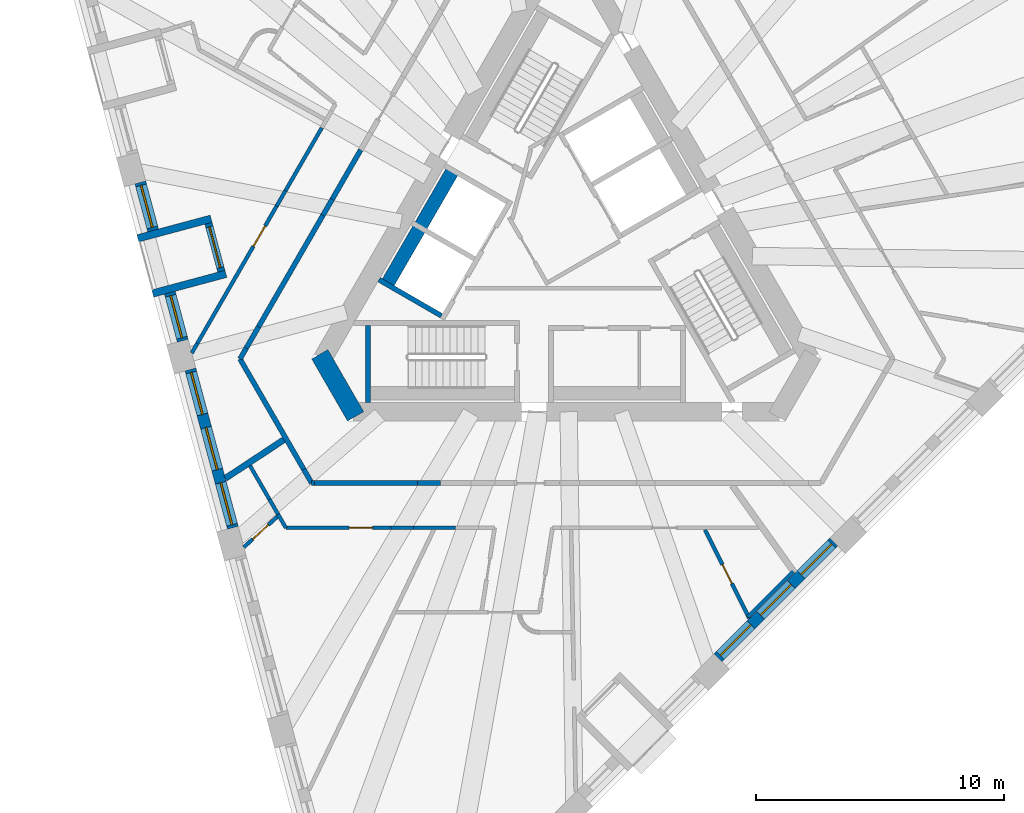
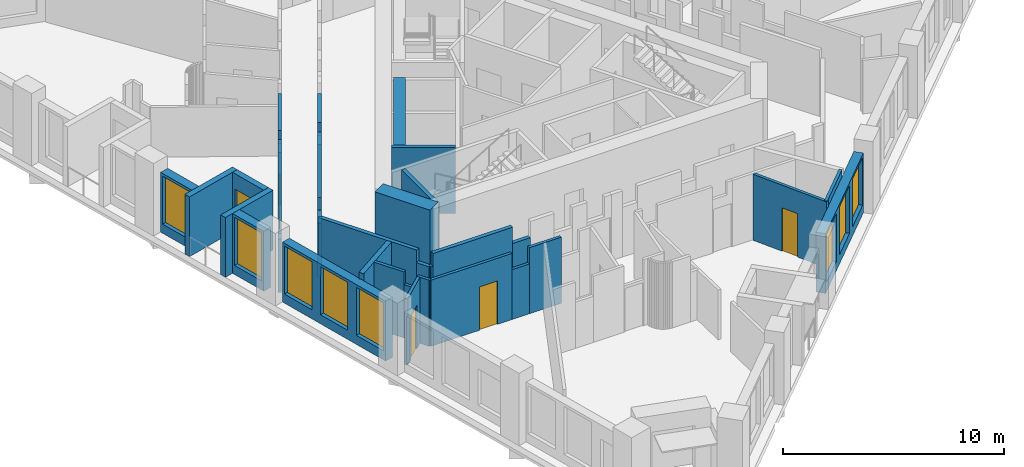
# One storey, part 3 of 13: 35 walls, 8 windows, 5 doors, 13 openings.
"""IFC4 building model written with IfcOpenShell, lengths in metres."""

import ifcopenshell
import ifcopenshell.guid

model = None  # the IFC model being written
_history = None  # IfcOwnerHistory: only IFC2X3 demands one
_inside = {}  # id of a spatial element -> (the spatial element, [elements in it])
_under = {}  # id of a project, library or spatial element -> (it, [spatial elements below it])
_declared = {}  # id of a project -> (the project, [libraries it declares])
_typed = {}  # id of a type object -> (the type object, [elements of that type])
_made_of = {}  # id of a material, layer set ... -> (it, [elements and type objects made of it])


def new_model(schema):
    """Start an empty IFC model of exactly this schema.

    Asked for "IFC4X3", IfcOpenShell would pick the latest addendum, in which some entities
    have other attributes; the version numbers below select the first issue.
    IFC2X3 requires an IfcOwnerHistory on every rooted entity: one is made here for all.
    """
    global model, _history
    if schema == "IFC4X3":
        model = ifcopenshell.file(schema_version=(4, 3, 0, 0))
    else:
        model = ifcopenshell.file(schema=schema)
    _inside.clear()
    _under.clear()
    _declared.clear()
    _typed.clear()
    _made_of.clear()
    _history = None
    if model.schema == "IFC2X3":
        org = make("IfcOrganization", Name="unknown")
        user = make(
            "IfcPersonAndOrganization",
            ThePerson=make("IfcPerson", FamilyName="unknown"),
            TheOrganization=org,
        )
        app = make(
            "IfcApplication",
            ApplicationDeveloper=org,
            Version="unknown",
            ApplicationFullName="unknown",
            ApplicationIdentifier="unknown",
        )
        _history = make(
            "IfcOwnerHistory",
            OwningUser=user,
            OwningApplication=app,
            ChangeAction="ADDED",
            CreationDate=0,
        )
    return model


def make(cls, **values):
    """One entity of the class cls with the attributes given. An attribute that is None is left unset."""
    return model.create_entity(
        cls, **{name: value for name, value in values.items() if value is not None}
    )


def rooted(cls, **values):
    """An entity with a GlobalId (a new one), such as an element, a storey or a relation."""
    return make(cls, GlobalId=ifcopenshell.guid.new(), OwnerHistory=_history, **values)


def si_unit(unit_type, name, prefix=None):
    """IfcSIUnit, for example si_unit("LENGTHUNIT", "METRE", prefix="MILLI")."""
    return make("IfcSIUnit", UnitType=unit_type, Prefix=prefix, Name=name)


def assignment(units):
    """IfcUnitAssignment: the units of a project."""
    return None if units is None else make("IfcUnitAssignment", Units=units)


def point(xyz):
    """IfcCartesianPoint."""
    return None if xyz is None else make("IfcCartesianPoint", Coordinates=xyz)


def direction(xyz):
    """IfcDirection."""
    return None if xyz is None else make("IfcDirection", DirectionRatios=xyz)


def frame(location, z_axis=None, x_axis=None):
    """IfcAxis2Placement3D, a coordinate frame: its origin and axes. An axis left out is left unset."""
    return make(
        "IfcAxis2Placement3D",
        Location=point(location),
        Axis=direction(z_axis),
        RefDirection=direction(x_axis),
    )


def frame_2d(location, x_axis=None):
    """IfcAxis2Placement2D, a coordinate frame in the plane: its origin and x axis."""
    return make(
        "IfcAxis2Placement2D", Location=point(location), RefDirection=direction(x_axis)
    )


def origin():
    """The frame at (0, 0, 0) with its axes left unset."""
    return frame((0.0, 0.0, 0.0))


def place(relative_to, where):
    """IfcLocalPlacement: puts the frame where relative to a parent placement (None: the world)."""
    return make(
        "IfcLocalPlacement", PlacementRelTo=relative_to, RelativePlacement=where
    )


def context(
    kind, dimensions, precision=None, world=None, true_north=None, identifier=None
):
    """IfcGeometricRepresentationContext, for example the 3D "Model" context."""
    return make(
        "IfcGeometricRepresentationContext",
        ContextIdentifier=identifier,
        ContextType=kind,
        CoordinateSpaceDimension=dimensions,
        Precision=precision,
        WorldCoordinateSystem=world,
        TrueNorth=true_north,
    )


def subcontext(parent, identifier, kind, view, scale=None):
    """IfcGeometricRepresentationSubContext, for example "Body" below "Model"."""
    return make(
        "IfcGeometricRepresentationSubContext",
        ContextIdentifier=identifier,
        ContextType=kind,
        ParentContext=parent,
        TargetScale=scale,
        TargetView=view,
    )


def project(units=None, contexts=None):
    """IfcProject with its units and contexts."""
    return rooted(
        "IfcProject",
        Name="project",
        RepresentationContexts=contexts,
        UnitsInContext=assignment(units),
    )


def spatial(cls, under=None, at=None, **own):
    """A site, building, storey or space (cls), placed at a placement, below another one or the project."""
    s = rooted(cls, ObjectPlacement=at, **own)
    if under is not None:
        _under.setdefault(under.id(), (under, []))[1].append(s)
    return s


def profile(cls, at=None, kind="AREA", **sizes):
    """A parametric profile (cls). Its sizes go by their IFC names, for example OverallWidth=200.0."""
    return make(cls, ProfileType=kind, Position=at, **sizes)


def rectangle(**sizes):
    """IfcRectangleProfileDef."""
    return profile("IfcRectangleProfileDef", **sizes)


def extrude(swept, where, along, depth):
    """IfcExtrudedAreaSolid: the profile swept, set in the frame where, extruded along a direction by depth."""
    return make(
        "IfcExtrudedAreaSolid",
        SweptArea=swept,
        Position=where,
        ExtrudedDirection=direction(along),
        Depth=depth,
    )


def shape(context_of_items, identifier, shape_type, items):
    """IfcShapeRepresentation: the items that make up one representation, for example the "Body"."""
    return make(
        "IfcShapeRepresentation",
        ContextOfItems=context_of_items,
        RepresentationIdentifier=identifier,
        RepresentationType=shape_type,
        Items=items,
    )


def material(Name=None, Category=None):
    """IfcMaterial."""
    return make("IfcMaterial", Name=Name, Category=Category)


def layer(
    of_material, thickness, ventilated=None, Name=None, Category=None, Priority=None
):
    """IfcMaterialLayer: one layer of a wall or slab, of a material (None: an air gap)."""
    return make(
        "IfcMaterialLayer",
        Material=of_material,
        LayerThickness=thickness,
        IsVentilated=ventilated,
        Name=Name,
        Category=Category,
        Priority=Priority,
    )


def layer_set(layers, Name=None):
    """IfcMaterialLayerSet."""
    return make("IfcMaterialLayerSet", MaterialLayers=layers, LayerSetName=Name)


def made_of(thing, what):
    """Note that an element or type object is made of a material, layer set ...; save() writes the relation."""
    if what is not None:
        _made_of.setdefault(what.id(), (what, []))[1].append(thing)
    return thing


def type_object(cls, material=None, **own):
    """A type object (cls), such as IfcWallType, which elements share."""
    return made_of(rooted(cls, **own), material)


def element(
    cls,
    number,
    at=None,
    inside=None,
    cuts=None,
    type_object=None,
    material=None,
    context=None,
    identifier="Body",
    shape_type=None,
    held_by="IfcProductDefinitionShape",
    body=None,
    shapes=None,
    **own,
):
    """One element of the class cls, such as IfcWall. Its Tag is "e" and its number.

    at: its placement. inside: the storey or other place that contains it. cuts: it is an
    opening in that element (IfcRelVoidsElement). A single representation is given by context,
    identifier, shape_type and body (its items); several are given by shapes. held_by: the class
    of the entity that holds the representations. save() writes the other relations.
    """
    e = rooted(cls, Tag="e%d" % number, ObjectPlacement=at, **own)
    if body is not None:
        shapes = [shape(context, identifier, shape_type, body)]
    if shapes is not None:
        e.Representation = make(held_by, Representations=shapes)
    if inside is not None:
        _inside.setdefault(inside.id(), (inside, []))[1].append(e)
    if cuts is not None:
        rooted(
            "IfcRelVoidsElement", RelatingBuildingElement=cuts, RelatedOpeningElement=e
        )
    if type_object is not None:
        _typed.setdefault(type_object.id(), (type_object, []))[1].append(e)
    return made_of(e, material)


def fill(opening, filler):
    """IfcRelFillsElement: the door or window that sits in an opening."""
    return rooted(
        "IfcRelFillsElement",
        RelatingOpeningElement=opening,
        RelatedBuildingElement=filler,
    )


def aggregate(whole, parts):
    """IfcRelAggregates: a whole, such as a stair, and the parts it consists of."""
    return rooted("IfcRelAggregates", RelatingObject=whole, RelatedObjects=parts)


def save(model, path):
    """Write the relations noted so far, then the file.

    IfcRelAggregates (storeys below a building ...), IfcRelContainedInSpatialStructure (elements
    in a storey), IfcRelDefinesByType, IfcRelAssociatesMaterial and IfcRelDeclares: one each for
    every whole, place, type object, material and project.
    """
    for whole, parts in _under.values():
        aggregate(whole, parts)
    for where, things in _inside.values():
        rooted(
            "IfcRelContainedInSpatialStructure",
            RelatedElements=things,
            RelatingStructure=where,
        )
    for kind, things in _typed.values():
        rooted("IfcRelDefinesByType", RelatedObjects=things, RelatingType=kind)
    for what, things in _made_of.values():
        rooted("IfcRelAssociatesMaterial", RelatedObjects=things, RelatingMaterial=what)
    for by, libraries in _declared.values():
        rooted("IfcRelDeclares", RelatingContext=by, RelatedDefinitions=libraries)
    model.write(path)


model = new_model("IFC4")

# Units and contexts
model_context = context("Model", 3, precision=1e-05, world=origin(), true_north=direction((0.0, 1.0)))
body_context = subcontext(model_context, "Body", "Model", "MODEL_VIEW")
ifc_project = project(units=[si_unit("LENGTHUNIT", "METRE"), si_unit("AREAUNIT", "SQUARE_METRE"), si_unit("VOLUMEUNIT", "CUBIC_METRE"), si_unit("PLANEANGLEUNIT", "RADIAN"), si_unit("MASSUNIT", "GRAM", prefix="KILO")], contexts=[model_context])

# Site, building, storey
site_placement = place(None, origin())
site = spatial("IfcSite", under=ifc_project, at=site_placement, CompositionType="ELEMENT")
building_placement = place(site_placement, origin())
building = spatial("IfcBuilding", under=site, at=building_placement, Name="Tramontana Tower", CompositionType="ELEMENT")
storey_placement = place(building_placement, frame((0.0, 0.0, 216.0)))
storey = spatial("IfcBuildingStorey", under=building, at=storey_placement, Name="L50", CompositionType="ELEMENT", Elevation=216.0)

# Walls
ifc_material_1 = material(Name="Concrete 70 MPa", Category="concrete")
ifc_layer_1 = layer(ifc_material_1, 0.75)
ifc_layer_set_1 = layer_set([ifc_layer_1], Name="Core wall 750 70 MPa")
wall_type_1 = type_object("IfcWallType", Name="Core wall 750 70 MPa", PredefinedType="SHEAR", material=ifc_layer_set_1)
wall_1_placement = place(storey_placement, frame((-9.923095703125, -4.0625, 0.0), z_axis=(0.0, 0.0, 1.0), x_axis=(0.499995765644, -0.866027848477, 0.0)))
element("IfcWall", 1, at=wall_1_placement, inside=storey, type_object=wall_type_1, Name="Core wall C2 L50", PredefinedType="SHEAR", context=body_context, shape_type="SweptSolid", body=[
    extrude(rectangle(XDim=2.88671875, YDim=0.75, at=frame_2d((1.443359375, 0.0))), origin(), (0.0, 0.0, 1.0), 4.0),
])
ifc_material_2 = material(Name="Blockwork", Category="masonry")
ifc_layer_2 = layer(ifc_material_2, 0.199951171875)
ifc_layer_set_2 = layer_set([ifc_layer_2], Name="ENTRY WALL 200")
wall_type_2 = type_object("IfcWallType", Name="ENTRY WALL 200", PredefinedType="SOLIDWALL", material=ifc_layer_set_2)
wall_2_placement = place(storey_placement, frame((-5.05615234375, -9.25, 0.0), z_axis=(0.0, 0.0, 1.0), x_axis=(-1.0, 0.0, 0.0)))
element("IfcWall", 2, at=wall_2_placement, inside=storey, type_object=wall_type_2, Name="Wall v51-ew2-11", PredefinedType="SOLIDWALL", context=body_context, shape_type="SweptSolid", body=[
    extrude(rectangle(XDim=0.931640625, YDim=0.199951171875, at=frame_2d((0.4658203125, 0.0))), origin(), (0.0, 0.0, 1.0), 2.75),
])
wall_3_placement = place(storey_placement, frame((-5.98779296875, -9.25, 0.0), z_axis=(0.0, 0.0, 1.0), x_axis=(-1.0, 0.0, 0.0)))
element("IfcWall", 3, at=wall_3_placement, inside=storey, type_object=wall_type_2, Name="Wall v51-ew2-12", PredefinedType="SOLIDWALL", context=body_context, shape_type="SweptSolid", body=[
    extrude(rectangle(XDim=4.1552734375, YDim=0.199951171875, at=frame_2d((2.07763671875, 0.0))), origin(), (0.0, 0.0, 1.0), 3.64990234375),
])
wall_4_placement = place(storey_placement, frame((-10.14306640625, -9.25, 0.0), z_axis=(0.0, 0.0, 1.0), x_axis=(-1.0, 0.0, 0.0)))
element("IfcWall", 4, at=wall_4_placement, inside=storey, type_object=wall_type_2, Name="Wall v51-ew2-13", PredefinedType="SOLIDWALL", context=body_context, shape_type="SweptSolid", body=[
    extrude(rectangle(XDim=0.10498046875, YDim=0.199951171875, at=frame_2d((0.052490234375, 0.0))), origin(), (0.0, 0.0, 1.0), 2.949951171875),
])
wall_5_placement = place(storey_placement, frame((-10.248046875, -9.25, 0.0), z_axis=(0.0, 0.0, 1.0), x_axis=(-0.499733411443, 0.86617926406, 0.0)))
element("IfcWall", 5, at=wall_5_placement, inside=storey, type_object=wall_type_2, Name="Wall v51-ew3-0", PredefinedType="SOLIDWALL", context=body_context, shape_type="SweptSolid", body=[
    extrude(rectangle(XDim=0.642822265625, YDim=0.199951171875, at=frame_2d((0.3212890625, 0.0))), origin(), (0.0, 0.0, 1.0), 2.949951171875),
])
wall_6_placement = place(storey_placement, frame((-10.5693359375, -8.693115234375, 0.0), z_axis=(0.0, 0.0, 1.0), x_axis=(-0.500028638513, 0.8660088687, 0.0)))
element("IfcWall", 6, at=wall_6_placement, inside=storey, type_object=wall_type_2, Name="Wall v51-ew3-1", PredefinedType="SOLIDWALL", context=body_context, shape_type="SweptSolid", body=[
    extrude(rectangle(XDim=5.130615234375, YDim=0.199951171875, at=frame_2d((2.5654296875, 0.0))), origin(), (0.0, 0.0, 1.0), 3.64990234375),
])
wall_7_placement = place(storey_placement, frame((-13.134765625, -4.25, 0.0), z_axis=(0.0, 0.0, 1.0), x_axis=(0.500002592159, 0.866023907196, 0.0)))
element("IfcWall", 7, at=wall_7_placement, inside=storey, type_object=wall_type_2, Name="Wall v51-ew4-0", PredefinedType="SOLIDWALL", context=body_context, shape_type="SweptSolid", body=[
    extrude(rectangle(XDim=0.5029296875, YDim=0.199951171875, at=frame_2d((0.25146484375, 0.0))), origin(), (0.0, 0.0, 1.0), 3.64990234375),
])
wall_8_placement = place(storey_placement, frame((-12.88330078125, -3.814453125, 0.0), z_axis=(0.0, 0.0, 1.0), x_axis=(0.500063959222, 0.865988473761, 0.0)))
element("IfcWall", 8, at=wall_8_placement, inside=storey, type_object=wall_type_2, Name="Wall v51-ew4-1", PredefinedType="SOLIDWALL", context=body_context, shape_type="SweptSolid", body=[
    extrude(rectangle(XDim=0.989990234375, YDim=0.199951171875, at=frame_2d((0.4951171875, 0.0))), origin(), (0.0, 0.0, 1.0), 2.949951171875),
])
wall_9_placement = place(storey_placement, frame((-12.38818359375, -2.95703125, 0.0), z_axis=(0.0, 0.0, 1.0), x_axis=(0.499990271856, 0.866031020258, 0.0)))
element("IfcWall", 9, at=wall_9_placement, inside=storey, type_object=wall_type_2, Name="Wall v51-ew4-2", PredefinedType="SOLIDWALL", context=body_context, shape_type="SweptSolid", body=[
    extrude(rectangle(XDim=5.181640625, YDim=0.199951171875, at=frame_2d((2.5908203125, 0.0))), origin(), (0.0, 0.0, 1.0), 3.64990234375),
])
wall_10_placement = place(storey_placement, frame((-9.79736328125, 1.530517578125, 0.0), z_axis=(0.0, 0.0, 1.0), x_axis=(0.499931655587, 0.866064858854, 0.0)))
element("IfcWall", 10, at=wall_10_placement, inside=storey, type_object=wall_type_2, Name="Wall v51-ew4-3", PredefinedType="SOLIDWALL", context=body_context, shape_type="SweptSolid", body=[
    extrude(rectangle(XDim=0.74072265625, YDim=0.199951171875, at=frame_2d((0.370361328125, 0.0))), origin(), (0.0, 0.0, 1.0), 2.949951171875),
])
wall_11_placement = place(storey_placement, frame((-9.427001953125, 2.172119140625, 0.0), z_axis=(0.0, 0.0, 1.0), x_axis=(0.500013761451, 0.866017458461, 0.0)))
element("IfcWall", 11, at=wall_11_placement, inside=storey, type_object=wall_type_2, Name="Wall v51-ew4-4", PredefinedType="SOLIDWALL", context=body_context, shape_type="SweptSolid", body=[
    extrude(rectangle(XDim=2.29736328125, YDim=0.199951171875, at=frame_2d((1.148681640625, 0.0))), origin(), (0.0, 0.0, 1.0), 3.64990234375),
])

# Wall, opening, window
ifc_material_3 = material(Name="Precast concrete 60 MPa", Category="concrete")
ifc_layer_3 = layer(ifc_material_3, 0.449951171875)
ifc_layer_set_3 = layer_set([ifc_layer_3], Name="Precast concrete 60 MPa, 450 mm")
wall_type_3 = type_object("IfcWallType", Name="EW1 Stone-faced precast wall 450", PredefinedType="SOLIDWALL", material=ifc_layer_set_3)
wall_12_placement = place(storey_placement, frame((-17.147705078125, 2.853271484375, 0.0), z_axis=(0.0, 0.0, 1.0), x_axis=(0.258803270362, -0.96593005298, 0.0)))
wall_12 = element("IfcWall", 12, at=wall_12_placement, inside=storey, type_object=wall_type_3, Name="External wall L50 face 0 bay 3", PredefinedType="SOLIDWALL", context=body_context, shape_type="SweptSolid", body=[
    extrude(rectangle(XDim=1.998046875, YDim=0.449951171875, at=frame_2d((0.9990234375, 0.0))), origin(), (0.0, 0.0, 1.0), 3.300048828125),
])
opening_1_placement = place(wall_12_placement, frame((0.1240234375, 0.0, 0.5)))
opening_1 = element("IfcOpeningElement", 13, at=opening_1_placement, cuts=wall_12, Name="Opening M2", PredefinedType="OPENING", context=body_context, shape_type="SweptSolid", body=[
    extrude(rectangle(XDim=1.75, YDim=2.64990234375, at=frame_2d((0.875, 1.324951171875))), frame((0.0, 0.23486328125, 0.0), z_axis=(0.0, -1.0, 0.0), x_axis=(1.0, 0.0, 0.0)), (0.0, 0.0, 1.0), 0.469970703125),
])
ifc_material_4 = material(Name="Aluminum frame, double glazing unit", Category="aluminium")
window_type = type_object("IfcWindowType", Name="M2 Window 1.75 x 2.65", PartitioningType="SINGLE_PANEL", PredefinedType="WINDOW", material=ifc_material_4)
window_1_placement = place(opening_1_placement, origin())
window_1 = element("IfcWindow", 14, at=window_1_placement, inside=storey, type_object=window_type, Name="Window M2 L50 face 0 module 7", OverallHeight=2.64990234375, OverallWidth=1.75, PartitioningType="SINGLE_PANEL", PredefinedType="WINDOW", context=body_context, shape_type="SweptSolid", body=[
    extrude(rectangle(XDim=1.75, YDim=2.64990234375, at=frame_2d((0.875, 1.324951171875))), frame((0.0, 0.030029296875, 0.0), z_axis=(0.0, -1.0, 0.0), x_axis=(1.0, 0.0, 0.0)), (0.0, 0.0, 1.0), 0.06005859375),
])
fill(opening_1, window_1)

wall_13_placement = place(storey_placement, frame((-15.958251953125, -1.586181640625, 0.0), z_axis=(0.0, 0.0, 1.0), x_axis=(0.258772727493, -0.965938235865, 0.0)))
wall_13 = element("IfcWall", 15, at=wall_13_placement, inside=storey, type_object=wall_type_3, Name="External wall L50 face 0 bay 3", PredefinedType="SOLIDWALL", context=body_context, shape_type="SweptSolid", body=[
    extrude(rectangle(XDim=1.998291015625, YDim=0.449951171875, at=frame_2d((0.9990234375, 0.0))), origin(), (0.0, 0.0, 1.0), 3.300048828125),
])
opening_2_placement = place(wall_13_placement, frame((0.1240234375, 0.0, 0.5)))
opening_2 = element("IfcOpeningElement", 16, at=opening_2_placement, cuts=wall_13, Name="Opening M2", PredefinedType="OPENING", context=body_context, shape_type="SweptSolid", body=[
    extrude(rectangle(XDim=1.75, YDim=2.64990234375, at=frame_2d((0.875, 1.324951171875))), frame((0.0, 0.23486328125, 0.0), z_axis=(0.0, -1.0, 0.0), x_axis=(1.0, 0.0, 0.0)), (0.0, 0.0, 1.0), 0.469970703125),
])
window_2_placement = place(opening_2_placement, origin())
window_2 = element("IfcWindow", 17, at=window_2_placement, inside=storey, type_object=window_type, Name="Window M2 L50 face 0 module 9", OverallHeight=2.64990234375, OverallWidth=1.75, PartitioningType="SINGLE_PANEL", PredefinedType="WINDOW", context=body_context, shape_type="SweptSolid", body=[
    extrude(rectangle(XDim=1.75, YDim=2.64990234375, at=frame_2d((0.875, 1.324951171875))), frame((0.0, 0.030029296875, 0.0), z_axis=(0.0, -1.0, 0.0), x_axis=(1.0, 0.0, 0.0)), (0.0, 0.0, 1.0), 0.06005859375),
])
fill(opening_2, window_2)

# Wall, openings, windows
wall_14_placement = place(storey_placement, frame((-15.13037109375, -4.67529296875, 0.0), z_axis=(0.0, 0.0, 1.0), x_axis=(0.258791602952, -0.965933178973, 0.0)))
wall_14 = element("IfcWall", 18, at=wall_14_placement, inside=storey, type_object=wall_type_3, Name="External wall L50 face 0 bay 4", PredefinedType="SOLIDWALL", context=body_context, shape_type="SweptSolid", body=[
    extrude(rectangle(XDim=6.59423828125, YDim=0.449951171875, at=frame_2d((3.297119140625, 0.0))), origin(), (0.0, 0.0, 1.0), 3.300048828125),
])
opening_3_placement = place(wall_14_placement, frame((0.1240234375, 0.0, 0.5)))
opening_3 = element("IfcOpeningElement", 19, at=opening_3_placement, cuts=wall_14, Name="Opening M2", PredefinedType="OPENING", context=body_context, shape_type="SweptSolid", body=[
    extrude(rectangle(XDim=1.75, YDim=2.64990234375, at=frame_2d((0.875, 1.324951171875))), frame((0.0, 0.23486328125, 0.0), z_axis=(0.0, -1.0, 0.0), x_axis=(1.0, 0.0, 0.0)), (0.0, 0.0, 1.0), 0.469970703125),
])
opening_4_placement = place(wall_14_placement, frame((2.422119140625, 0.0, 0.5)))
opening_4 = element("IfcOpeningElement", 20, at=opening_4_placement, cuts=wall_14, Name="Opening M2", PredefinedType="OPENING", context=body_context, shape_type="SweptSolid", body=[
    extrude(rectangle(XDim=1.75, YDim=2.64990234375, at=frame_2d((0.875, 1.324951171875))), frame((0.0, 0.23486328125, 0.0), z_axis=(0.0, -1.0, 0.0), x_axis=(1.0, 0.0, 0.0)), (0.0, 0.0, 1.0), 0.469970703125),
])
opening_5_placement = place(wall_14_placement, frame((4.72021484375, 0.0, 0.5)))
opening_5 = element("IfcOpeningElement", 21, at=opening_5_placement, cuts=wall_14, Name="Opening M2", PredefinedType="OPENING", context=body_context, shape_type="SweptSolid", body=[
    extrude(rectangle(XDim=1.75, YDim=2.64990234375, at=frame_2d((0.875, 1.324951171875))), frame((0.0, 0.23486328125, 0.0), z_axis=(0.0, -1.0, 0.0), x_axis=(1.0, 0.0, 0.0)), (0.0, 0.0, 1.0), 0.469970703125),
])
window_3_placement = place(opening_3_placement, origin())
window_3 = element("IfcWindow", 22, at=window_3_placement, inside=storey, type_object=window_type, Name="Window M2 L50 face 0 module 10", OverallHeight=2.64990234375, OverallWidth=1.75, PartitioningType="SINGLE_PANEL", PredefinedType="WINDOW", context=body_context, shape_type="SweptSolid", body=[
    extrude(rectangle(XDim=1.75, YDim=2.64990234375, at=frame_2d((0.875, 1.324951171875))), frame((0.0, 0.030029296875, 0.0), z_axis=(0.0, -1.0, 0.0), x_axis=(1.0, 0.0, 0.0)), (0.0, 0.0, 1.0), 0.06005859375),
])
fill(opening_3, window_3)
window_4_placement = place(opening_4_placement, origin())
window_4 = element("IfcWindow", 23, at=window_4_placement, inside=storey, type_object=window_type, Name="Window M2 L50 face 0 module 11", OverallHeight=2.64990234375, OverallWidth=1.75, PartitioningType="SINGLE_PANEL", PredefinedType="WINDOW", context=body_context, shape_type="SweptSolid", body=[
    extrude(rectangle(XDim=1.75, YDim=2.64990234375, at=frame_2d((0.875, 1.324951171875))), frame((0.0, 0.030029296875, 0.0), z_axis=(0.0, -1.0, 0.0), x_axis=(1.0, 0.0, 0.0)), (0.0, 0.0, 1.0), 0.06005859375),
])
fill(opening_4, window_4)
window_5_placement = place(opening_5_placement, origin())
window_5 = element("IfcWindow", 24, at=window_5_placement, inside=storey, type_object=window_type, Name="Window M2 L50 face 0 module 12", OverallHeight=2.64990234375, OverallWidth=1.75, PartitioningType="SINGLE_PANEL", PredefinedType="WINDOW", context=body_context, shape_type="SweptSolid", body=[
    extrude(rectangle(XDim=1.75, YDim=2.64990234375, at=frame_2d((0.875, 1.324951171875))), frame((0.0, 0.030029296875, 0.0), z_axis=(0.0, -1.0, 0.0), x_axis=(1.0, 0.0, 0.0)), (0.0, 0.0, 1.0), 0.06005859375),
])
fill(opening_5, window_5)

wall_15_placement = place(storey_placement, frame((6.102783203125, -16.277099609375, 0.0), z_axis=(0.0, 0.0, 1.0), x_axis=(0.707106781187, 0.707106781187, 0.0)))
wall_15 = element("IfcWall", 25, at=wall_15_placement, inside=storey, type_object=wall_type_3, Name="External wall L50 face 1 bay 3", PredefinedType="SOLIDWALL", context=body_context, shape_type="SweptSolid", body=[
    extrude(rectangle(XDim=6.59423828125, YDim=0.449951171875, at=frame_2d((3.297119140625, 0.0))), origin(), (0.0, 0.0, 1.0), 3.300048828125),
])
opening_6_placement = place(wall_15_placement, frame((0.1240234375, 0.0, 0.5)))
opening_6 = element("IfcOpeningElement", 26, at=opening_6_placement, cuts=wall_15, Name="Opening M2", PredefinedType="OPENING", context=body_context, shape_type="SweptSolid", body=[
    extrude(rectangle(XDim=1.75, YDim=2.64990234375, at=frame_2d((0.875, 1.324951171875))), frame((0.0, 0.23486328125, 0.0), z_axis=(0.0, -1.0, 0.0), x_axis=(1.0, 0.0, 0.0)), (0.0, 0.0, 1.0), 0.469970703125),
])
opening_7_placement = place(wall_15_placement, frame((2.422119140625, 0.0, 0.5)))
opening_7 = element("IfcOpeningElement", 27, at=opening_7_placement, cuts=wall_15, Name="Opening M2", PredefinedType="OPENING", context=body_context, shape_type="SweptSolid", body=[
    extrude(rectangle(XDim=1.75, YDim=2.64990234375, at=frame_2d((0.875, 1.324951171875))), frame((0.0, 0.23486328125, 0.0), z_axis=(0.0, -1.0, 0.0), x_axis=(1.0, 0.0, 0.0)), (0.0, 0.0, 1.0), 0.469970703125),
])
opening_8_placement = place(wall_15_placement, frame((4.72021484375, 0.0, 0.5)))
opening_8 = element("IfcOpeningElement", 28, at=opening_8_placement, cuts=wall_15, Name="Opening M2", PredefinedType="OPENING", context=body_context, shape_type="SweptSolid", body=[
    extrude(rectangle(XDim=1.75, YDim=2.64990234375, at=frame_2d((0.875, 1.324951171875))), frame((0.0, 0.23486328125, 0.0), z_axis=(0.0, -1.0, 0.0), x_axis=(1.0, 0.0, 0.0)), (0.0, 0.0, 1.0), 0.469970703125),
])
window_6_placement = place(opening_6_placement, origin())
window_6 = element("IfcWindow", 29, at=window_6_placement, inside=storey, type_object=window_type, Name="Window M2 L50 face 1 module 7", OverallHeight=2.64990234375, OverallWidth=1.75, PartitioningType="SINGLE_PANEL", PredefinedType="WINDOW", context=body_context, shape_type="SweptSolid", body=[
    extrude(rectangle(XDim=1.75, YDim=2.64990234375, at=frame_2d((0.875, 1.324951171875))), frame((0.0, 0.030029296875, 0.0), z_axis=(0.0, -1.0, 0.0), x_axis=(1.0, 0.0, 0.0)), (0.0, 0.0, 1.0), 0.06005859375),
])
fill(opening_6, window_6)
window_7_placement = place(opening_7_placement, origin())
window_7 = element("IfcWindow", 30, at=window_7_placement, inside=storey, type_object=window_type, Name="Window M2 L50 face 1 module 8", OverallHeight=2.64990234375, OverallWidth=1.75, PartitioningType="SINGLE_PANEL", PredefinedType="WINDOW", context=body_context, shape_type="SweptSolid", body=[
    extrude(rectangle(XDim=1.75, YDim=2.64990234375, at=frame_2d((0.875, 1.324951171875))), frame((0.0, 0.030029296875, 0.0), z_axis=(0.0, -1.0, 0.0), x_axis=(1.0, 0.0, 0.0)), (0.0, 0.0, 1.0), 0.06005859375),
])
fill(opening_7, window_7)
window_8_placement = place(opening_8_placement, origin())
window_8 = element("IfcWindow", 31, at=window_8_placement, inside=storey, type_object=window_type, Name="Window M2 L50 face 1 module 9", OverallHeight=2.64990234375, OverallWidth=1.75, PartitioningType="SINGLE_PANEL", PredefinedType="WINDOW", context=body_context, shape_type="SweptSolid", body=[
    extrude(rectangle(XDim=1.75, YDim=2.64990234375, at=frame_2d((0.875, 1.324951171875))), frame((0.0, 0.030029296875, 0.0), z_axis=(0.0, -1.0, 0.0), x_axis=(1.0, 0.0, 0.0)), (0.0, 0.0, 1.0), 0.06005859375),
])
fill(opening_8, window_8)

# Wall, opening, door
ifc_material_5 = material(Name="Precast concrete 60 MPa", Category="concrete")
ifc_layer_4 = layer(ifc_material_5, 0.300048828125)
ifc_layer_set_4 = layer_set([ifc_layer_4], Name="LW1 Stone-faced loggia wall 300")
wall_type_4 = type_object("IfcWallType", Name="LW1 Stone-faced loggia wall 300", PredefinedType="SOLIDWALL", material=ifc_layer_set_4)
wall_16_placement = place(storey_placement, frame((-14.40380859375, 1.20947265625, 0.0), z_axis=(0.0, 0.0, 1.0), x_axis=(0.258772727493, -0.965938235865, 0.0)))
wall_16 = element("IfcWall", 32, at=wall_16_placement, inside=storey, type_object=wall_type_4, Name="Loggia wall L50 G5S0.7", PredefinedType="SOLIDWALL", context=body_context, shape_type="SweptSolid", body=[
    extrude(rectangle(XDim=1.998291015625, YDim=0.300048828125, at=frame_2d((0.9990234375, 0.0))), origin(), (0.0, 0.0, 1.0), 3.300048828125),
])
opening_9_placement = place(wall_16_placement, frame((0.14892578125, 0.0, 0.0)))
opening_9 = element("IfcOpeningElement", 33, at=opening_9_placement, cuts=wall_16, Name="Opening BD-5S0-07", PredefinedType="OPENING", context=body_context, shape_type="SweptSolid", body=[
    extrude(rectangle(XDim=1.699951171875, YDim=2.449951171875, at=frame_2d((0.85009765625, 1.22509765625))), frame((0.0, 0.159912109375, 0.0), z_axis=(0.0, -1.0, 0.0), x_axis=(1.0, 0.0, 0.0)), (0.0, 0.0, 1.0), 0.320068359375),
])
ifc_material_6 = material(Name="Aluminum frame, double glazing unit", Category="aluminium")
door_type_1 = type_object("IfcDoorType", Name="BD2 Sliding door 1.7 x 2.45", OperationType="SLIDING_TO_LEFT", PredefinedType="DOOR", material=ifc_material_6)
door_1_placement = place(opening_9_placement, origin())
door_1 = element("IfcDoor", 34, at=door_1_placement, inside=storey, type_object=door_type_1, Name="Loggia door L50 G5S0.7", OperationType="SLIDING_TO_LEFT", OverallHeight=2.449951171875, OverallWidth=1.699951171875, PredefinedType="DOOR", context=body_context, shape_type="SweptSolid", body=[
    extrude(rectangle(XDim=1.699951171875, YDim=2.449951171875, at=frame_2d((0.85009765625, 1.22509765625))), frame((0.0, 0.02490234375, 0.0), z_axis=(0.0, -1.0, 0.0), x_axis=(1.0, 0.0, 0.0)), (0.0, 0.0, 1.0), 0.050048828125),
])
fill(opening_9, door_1)

# Walls
for number, where, z_axis, x_axis, name in (
    (35, (-17.243896484375, 0.603759765625, 0.0), (0.0, 0.0, 1.0), (0.965932688119, 0.258793435045, 0.0), "Loggia return L50 G5S0.7a"),
    (36, (-16.64892578125, -1.615966796875, 0.0), (0.0, 0.0, 1.0), (0.965932688119, 0.258793435045, 0.0), "Loggia return L50 G5S0.7b"),
):
    element("IfcWall", number, at=place(storey_placement, frame(where, z_axis=z_axis, x_axis=x_axis)), inside=storey, type_object=wall_type_4, Name=name, PredefinedType="SOLIDWALL", context=body_context, shape_type="SweptSolid", body=[
        extrude(rectangle(XDim=3.050048828125, YDim=0.300048828125, at=frame_2d((1.52490234375, 0.0))), origin(), (0.0, 0.0, 1.0), 3.300048828125),
    ])
ifc_material_7 = material(Name="Gypsum board partition")
ifc_layer_5 = layer(ifc_material_7, 0.14990234375)
ifc_layer_set_5 = layer_set([ifc_layer_5], Name="PARTITION 150")
wall_type_5 = type_object("IfcWallType", Name="PARTITION 150", PredefinedType="PARTITIONING", material=ifc_layer_set_5)
wall_17_placement = place(storey_placement, frame((-15.075439453125, -4.011474609375, 0.0), z_axis=(0.0, 0.0, 1.0), x_axis=(0.500027377864, 0.86600959659, 0.0)))
element("IfcWall", 37, at=wall_17_placement, inside=storey, type_object=wall_type_5, Name="Wall v51-pw01-0", PredefinedType="PARTITIONING", context=body_context, shape_type="SweptSolid", body=[
    extrude(rectangle(XDim=0.43896484375, YDim=0.14990234375, at=frame_2d((0.219482421875, 0.0))), origin(), (0.0, 0.0, 1.0), 2.949951171875),
])

# Wall, opening, door
wall_18_placement = place(storey_placement, frame((-14.85595703125, -3.63134765625, 0.0), z_axis=(0.0, 0.0, 1.0), x_axis=(0.49999366119, 0.866029063467, 0.0)))
wall_18 = element("IfcWall", 38, at=wall_18_placement, inside=storey, type_object=wall_type_5, Name="Wall v51-pw01-1", PredefinedType="PARTITIONING", context=body_context, shape_type="SweptSolid", body=[
    extrude(rectangle(XDim=6.3896484375, YDim=0.14990234375, at=frame_2d((3.19482421875, 0.0))), origin(), (0.0, 0.0, 1.0), 3.64990234375),
])
opening_10_placement = place(wall_18_placement, frame((4.517333984375, 0.0, 0.0)))
opening_10 = element("IfcOpeningElement", 39, at=opening_10_placement, cuts=wall_18, Name="Opening B5B-05", PredefinedType="OPENING", context=body_context, shape_type="SweptSolid", body=[
    extrude(rectangle(XDim=0.949951171875, YDim=2.39990234375, at=frame_2d((0.47509765625, 1.199951171875))), frame((0.0, 0.0849609375, 0.0), z_axis=(0.0, -1.0, 0.0), x_axis=(1.0, 0.0, 0.0)), (0.0, 0.0, 1.0), 0.169921875),
])
ifc_material_8 = material(Name="Painted timber", Category="wood")
door_type_2 = type_object("IfcDoorType", Name="DOOR ROOM 950", OperationType="SINGLE_SWING_LEFT", PredefinedType="DOOR", material=ifc_material_8)
door_2_placement = place(opening_10_placement, origin())
door_2 = element("IfcDoor", 40, at=door_2_placement, inside=storey, type_object=door_type_2, Name="Door B5B-05", OperationType="SINGLE_SWING_LEFT", OverallHeight=2.39990234375, OverallWidth=0.949951171875, PredefinedType="DOOR", context=body_context, shape_type="SweptSolid", body=[
    extrude(rectangle(XDim=0.949951171875, YDim=2.39990234375, at=frame_2d((0.47509765625, 1.199951171875))), frame((0.0, 0.02490234375, 0.0), z_axis=(0.0, -1.0, 0.0), x_axis=(1.0, 0.0, 0.0)), (0.0, 0.0, 1.0), 0.050048828125),
])
fill(opening_10, door_2)

# Walls
wall_19_placement = place(storey_placement, frame((-11.6611328125, 1.90234375, 0.0), z_axis=(0.0, 0.0, 1.0), x_axis=(0.499998569178, 0.866026229868, 0.0)))
element("IfcWall", 41, at=wall_19_placement, inside=storey, type_object=wall_type_5, Name="Wall v51-pw01-2", PredefinedType="PARTITIONING", context=body_context, shape_type="SweptSolid", body=[
    extrude(rectangle(XDim=0.71435546875, YDim=0.14990234375, at=frame_2d((0.357177734375, 0.0))), origin(), (0.0, 0.0, 1.0), 2.949951171875),
])
wall_20_placement = place(storey_placement, frame((-11.303955078125, 2.52099609375, 0.0), z_axis=(0.0, 0.0, 1.0), x_axis=(0.49998782916, 0.866032430508, 0.0)))
element("IfcWall", 42, at=wall_20_placement, inside=storey, type_object=wall_type_5, Name="Wall v51-pw01-3", PredefinedType="PARTITIONING", context=body_context, shape_type="SweptSolid", body=[
    extrude(rectangle(XDim=2.919921875, YDim=0.14990234375, at=frame_2d((1.4599609375, 0.0))), origin(), (0.0, 0.0, 1.0), 3.64990234375),
])

# Wall, opening, door
wall_21_placement = place(storey_placement, frame((-12.98095703125, -11.828369140625, 0.0), z_axis=(0.0, 0.0, 1.0), x_axis=(0.739151893592, 0.673538772603, 0.0)))
wall_21 = element("IfcWall", 43, at=wall_21_placement, inside=storey, type_object=wall_type_5, Name="Wall v51-pw22", PredefinedType="PARTITIONING", context=body_context, shape_type="SweptSolid", body=[
    extrude(rectangle(XDim=1.8232421875, YDim=0.14990234375, at=frame_2d((0.91162109375, 0.0))), origin(), (0.0, 0.0, 1.0), 3.64990234375),
])
opening_11_placement = place(wall_21_placement, frame((0.486572265625, 0.0, 0.0)))
opening_11 = element("IfcOpeningElement", 44, at=opening_11_placement, cuts=wall_21, Name="Opening B5B-11", PredefinedType="OPENING", context=body_context, shape_type="SweptSolid", body=[
    extrude(rectangle(XDim=0.85009765625, YDim=2.39990234375, at=frame_2d((0.425048828125, 1.199951171875))), frame((0.0, 0.0849609375, 0.0), z_axis=(0.0, -1.0, 0.0), x_axis=(1.0, 0.0, 0.0)), (0.0, 0.0, 1.0), 0.169921875),
])
ifc_material_9 = material(Name="Painted timber", Category="wood")
door_type_3 = type_object("IfcDoorType", Name="DOOR BATH 850", OperationType="SINGLE_SWING_LEFT", PredefinedType="DOOR", material=ifc_material_9)
door_3_placement = place(opening_11_placement, origin())
door_3 = element("IfcDoor", 45, at=door_3_placement, inside=storey, type_object=door_type_3, Name="Door B5B-11", OperationType="SINGLE_SWING_LEFT", OverallHeight=2.39990234375, OverallWidth=0.85009765625, PredefinedType="DOOR", context=body_context, shape_type="SweptSolid", body=[
    extrude(rectangle(XDim=0.85009765625, YDim=2.39990234375, at=frame_2d((0.425048828125, 1.199951171875))), frame((0.0, 0.02490234375, 0.0), z_axis=(0.0, -1.0, 0.0), x_axis=(1.0, 0.0, 0.0)), (0.0, 0.0, 1.0), 0.050048828125),
])
fill(opening_11, door_3)

# Walls
wall_22_placement = place(storey_placement, frame((-11.287109375, -11.050048828125, 0.0), z_axis=(0.0, 0.0, 1.0), x_axis=(-0.500187988959, 0.865916841101, 0.0)))
element("IfcWall", 46, at=wall_22_placement, inside=storey, type_object=wall_type_5, Name="Wall v51-pw24-0", PredefinedType="PARTITIONING", context=body_context, shape_type="SweptSolid", body=[
    extrude(rectangle(XDim=0.635498046875, YDim=0.14990234375, at=frame_2d((0.31787109375, 0.0))), origin(), (0.0, 0.0, 1.0), 3.64990234375),
])
wall_23_placement = place(storey_placement, frame((-11.60498046875, -10.499755859375, 0.0), z_axis=(0.0, 0.0, 1.0), x_axis=(-0.499845467243, 0.866114604932, 0.0)))
element("IfcWall", 47, at=wall_23_placement, inside=storey, type_object=wall_type_5, Name="Wall v51-pw24-1", PredefinedType="PARTITIONING", context=body_context, shape_type="SweptSolid", body=[
    extrude(rectangle(XDim=0.687255859375, YDim=0.14990234375, at=frame_2d((0.34375, 0.0))), origin(), (0.0, 0.0, 1.0), 2.949951171875),
])
wall_24_placement = place(storey_placement, frame((-11.948486328125, -9.904541015625, 0.0), z_axis=(0.0, 0.0, 1.0), x_axis=(-0.500069428396, 0.86598531557, 0.0)))
element("IfcWall", 48, at=wall_24_placement, inside=storey, type_object=wall_type_5, Name="Wall v51-pw24-2", PredefinedType="PARTITIONING", context=body_context, shape_type="SweptSolid", body=[
    extrude(rectangle(XDim=1.563232421875, YDim=0.14990234375, at=frame_2d((0.78173828125, 0.0))), origin(), (0.0, 0.0, 1.0), 3.64990234375),
])
wall_25_placement = place(storey_placement, frame((-4.4677734375, -11.050048828125, 0.0), z_axis=(0.0, 0.0, 1.0), x_axis=(-1.0, 0.0, 0.0)))
element("IfcWall", 49, at=wall_25_placement, inside=storey, type_object=wall_type_5, Name="Wall v51-pw32-2", PredefinedType="PARTITIONING", context=body_context, shape_type="SweptSolid", body=[
    extrude(rectangle(XDim=1.677490234375, YDim=0.14990234375, at=frame_2d((0.8388671875, 0.0))), origin(), (0.0, 0.0, 1.0), 3.64990234375),
])
wall_26_placement = place(storey_placement, frame((-6.145263671875, -11.050048828125, 0.0), z_axis=(0.0, 0.0, 1.0), x_axis=(-1.0, 0.0, 0.0)))
element("IfcWall", 50, at=wall_26_placement, inside=storey, type_object=wall_type_5, Name="Wall v51-pw32-3", PredefinedType="PARTITIONING", context=body_context, shape_type="SweptSolid", body=[
    extrude(rectangle(XDim=0.902587890625, YDim=0.14990234375, at=frame_2d((0.451171875, 0.0))), origin(), (0.0, 0.0, 1.0), 2.75),
])

# Wall, opening, door
wall_27_placement = place(storey_placement, frame((-7.0478515625, -11.050048828125, 0.0), z_axis=(0.0, 0.0, 1.0), x_axis=(-1.0, 0.0, 0.0)))
wall_27 = element("IfcWall", 51, at=wall_27_placement, inside=storey, type_object=wall_type_5, Name="Wall v51-pw32-4", PredefinedType="PARTITIONING", context=body_context, shape_type="SweptSolid", body=[
    extrude(rectangle(XDim=4.2392578125, YDim=0.14990234375, at=frame_2d((2.11962890625, 0.0))), origin(), (0.0, 0.0, 1.0), 3.64990234375),
])
opening_12_placement = place(wall_27_placement, frame((0.7490234375, 0.0, 0.0)))
opening_12 = element("IfcOpeningElement", 52, at=opening_12_placement, cuts=wall_27, Name="Opening B5B-09", PredefinedType="OPENING", context=body_context, shape_type="SweptSolid", body=[
    extrude(rectangle(XDim=0.949951171875, YDim=2.39990234375, at=frame_2d((0.47509765625, 1.199951171875))), frame((0.0, 0.0849609375, 0.0), z_axis=(0.0, -1.0, 0.0), x_axis=(1.0, 0.0, 0.0)), (0.0, 0.0, 1.0), 0.169921875),
])
door_4_placement = place(opening_12_placement, origin())
door_4 = element("IfcDoor", 53, at=door_4_placement, inside=storey, type_object=door_type_2, Name="Door B5B-09", OperationType="SINGLE_SWING_LEFT", OverallHeight=2.39990234375, OverallWidth=0.949951171875, PredefinedType="DOOR", context=body_context, shape_type="SweptSolid", body=[
    extrude(rectangle(XDim=0.949951171875, YDim=2.39990234375, at=frame_2d((0.47509765625, 1.199951171875))), frame((0.0, 0.02490234375, 0.0), z_axis=(0.0, -1.0, 0.0), x_axis=(1.0, 0.0, 0.0)), (0.0, 0.0, 1.0), 0.050048828125),
])
fill(opening_12, door_4)

wall_28_placement = place(storey_placement, frame((5.57763671875, -11.125, 0.0), z_axis=(0.0, 0.0, 1.0), x_axis=(0.448167148519, -0.893949778784, 0.0)))
wall_28 = element("IfcWall", 54, at=wall_28_placement, inside=storey, type_object=wall_type_5, Name="Wall v51-pw56", PredefinedType="PARTITIONING", context=body_context, shape_type="SweptSolid", body=[
    extrude(rectangle(XDim=3.9931640625, YDim=0.14990234375, at=frame_2d((1.99658203125, 0.0))), origin(), (0.0, 0.0, 1.0), 3.64990234375),
])
opening_13_placement = place(wall_28_placement, frame((1.571533203125, 0.0, 0.0)))
opening_13 = element("IfcOpeningElement", 55, at=opening_13_placement, cuts=wall_28, Name="Opening B5B-12", PredefinedType="OPENING", context=body_context, shape_type="SweptSolid", body=[
    extrude(rectangle(XDim=0.85009765625, YDim=2.39990234375, at=frame_2d((0.425048828125, 1.199951171875))), frame((0.0, 0.0849609375, 0.0), z_axis=(0.0, -1.0, 0.0), x_axis=(1.0, 0.0, 0.0)), (0.0, 0.0, 1.0), 0.169921875),
])
door_5_placement = place(opening_13_placement, origin())
door_5 = element("IfcDoor", 56, at=door_5_placement, inside=storey, type_object=door_type_3, Name="Door B5B-12", OperationType="SINGLE_SWING_RIGHT", OverallHeight=2.39990234375, OverallWidth=0.85009765625, PredefinedType="DOOR", context=body_context, shape_type="SweptSolid", body=[
    extrude(rectangle(XDim=0.85009765625, YDim=2.39990234375, at=frame_2d((0.425048828125, 1.199951171875))), frame((0.0, 0.02490234375, 0.0), z_axis=(0.0, -1.0, 0.0), x_axis=(1.0, 0.0, 0.0)), (0.0, 0.0, 1.0), 0.050048828125),
])
fill(opening_13, door_5)

# Walls
wall_29_placement = place(storey_placement, frame((9.133544921875, -12.807861328125, 0.0), z_axis=(0.0, 0.0, 1.0), x_axis=(-0.707059522588, -0.707154036627, 0.0)))
element("IfcWall", 57, at=wall_29_placement, inside=storey, type_object=wall_type_5, Name="Wall v51-pw59", PredefinedType="PARTITIONING", context=body_context, shape_type="SweptSolid", body=[
    extrude(rectangle(XDim=2.5830078125, YDim=0.14990234375, at=frame_2d((1.29150390625, 0.0))), origin(), (0.0, 0.0, 1.0), 3.64990234375),
])
ifc_material_10 = material(Name="Blockwork", Category="masonry")
ifc_layer_6 = layer(ifc_material_10, 0.25)
ifc_layer_set_6 = layer_set([ifc_layer_6], Name="PARTY WALL 250")
wall_type_6 = type_object("IfcWallType", Name="PARTY WALL 250", PredefinedType="SOLIDWALL", material=ifc_layer_set_6)
wall_30_placement = place(storey_placement, frame((-11.371337890625, -7.50439453125, 0.0), z_axis=(0.0, 0.0, 1.0), x_axis=(-0.834626930772, -0.550815655579, 0.0)))
element("IfcWall", 58, at=wall_30_placement, inside=storey, type_object=wall_type_6, Name="Wall v51-pw23", PredefinedType="SOLIDWALL", context=body_context, shape_type="SweptSolid", body=[
    extrude(rectangle(XDim=2.818115234375, YDim=0.25, at=frame_2d((1.4091796875, 0.0))), origin(), (0.0, 0.0, 1.0), 3.64990234375),
])
ifc_material_11 = material(Name="Concrete 70 MPa", Category="concrete")
ifc_layer_7 = layer(ifc_material_11, 0.550048828125)
ifc_layer_set_7 = layer_set([ifc_layer_7], Name="Concrete 70 MPa, 550 mm")
wall_type_7 = type_object("IfcWallType", Name="RC SHAFT BACK WALL 550", PredefinedType="SOLIDWALL", material=ifc_layer_set_7)
wall_31_placement = place(storey_placement, frame((-4.516357421875, 3.427490234375, 0.0), z_axis=(0.0, 0.0, 1.0), x_axis=(-0.499996545922, -0.866027397988, 0.0)))
element("IfcWall", 59, at=wall_31_placement, inside=storey, type_object=wall_type_7, Name="Wall row0-back", PredefinedType="SOLIDWALL", context=body_context, shape_type="SweptSolid", body=[
    extrude(rectangle(XDim=5.5, YDim=0.550048828125, at=frame_2d((2.75, 0.0))), origin(), (0.0, 0.0, 1.0), 3.64990234375),
])
ifc_material_12 = material(Name="Concrete 70 MPa", Category="concrete")
ifc_layer_8 = layer(ifc_material_12, 0.199951171875)
ifc_layer_set_8 = layer_set([ifc_layer_8], Name="Concrete 70 MPa, 200 mm")
wall_type_8 = type_object("IfcWallType", Name="RC STAIR AND SHAFT WALL 200", PredefinedType="SOLIDWALL", material=ifc_layer_set_8)
wall_32_placement = place(storey_placement, frame((-7.97998046875, -2.89990234375, 0.0), z_axis=(0.0, 0.0, 1.0), x_axis=(0.0, -1.0, 0.0)))
element("IfcWall", 60, at=wall_32_placement, inside=storey, type_object=wall_type_8, Name="Wall st2-far", PredefinedType="SOLIDWALL", context=body_context, shape_type="SweptSolid", body=[
    extrude(rectangle(XDim=3.10009765625, YDim=0.199951171875, at=frame_2d((1.550048828125, 0.0))), origin(), (0.0, 0.0, 1.0), 3.64990234375),
])
wall_33_placement = place(storey_placement, frame((-5.02978515625, -2.51171875, 0.0), z_axis=(0.0, 0.0, 1.0), x_axis=(-0.866032775405, 0.499987231761, 0.0)))
element("IfcWall", 61, at=wall_33_placement, inside=storey, type_object=wall_type_8, Name="Wall row0-side2", PredefinedType="SOLIDWALL", context=body_context, shape_type="SweptSolid", body=[
    extrude(rectangle(XDim=2.89990234375, YDim=0.199951171875, at=frame_2d((1.449951171875, 0.0))), origin(), (0.0, 0.0, 1.0), 3.64990234375),
])

save(model, "model.ifc")
